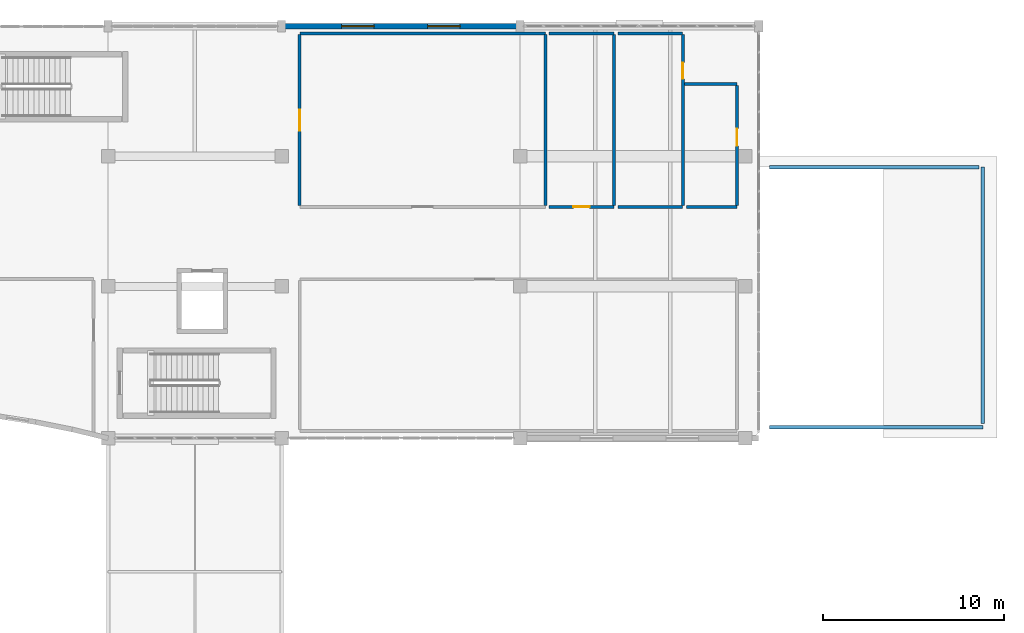
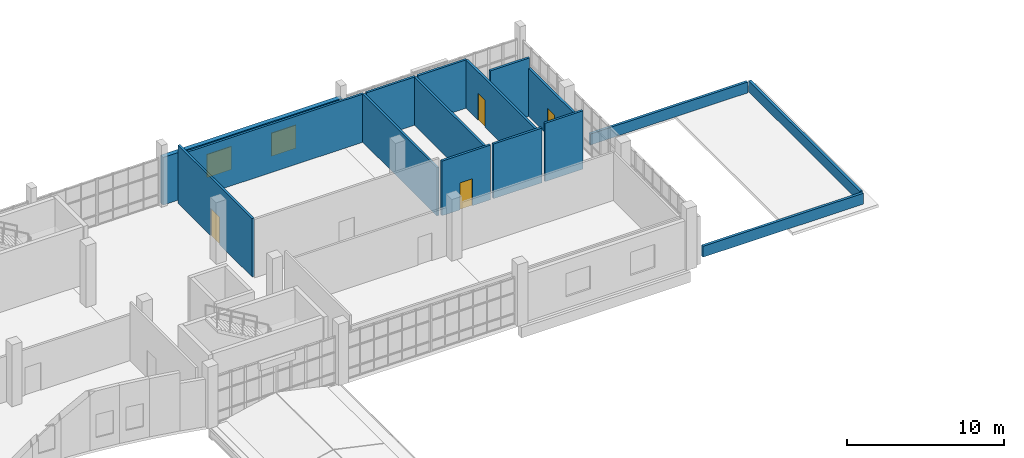
# One storey, part 92 of 106: 16 walls, 4 doors, 2 windows, 6 openings.
"""IFC4 building model written with IfcOpenShell, lengths in metres."""

from ifc_helpers import new_model, si_unit, direction, frame, frame_2d, origin, place, context, subcontext, project, spatial, rectangle, extrude, material, layer, layer_set, type_object, element, fill, save


model = new_model("IFC4")

# Units and contexts
model_context = context("Model", 3, precision=1e-05, world=origin(), true_north=direction((0.0, 1.0)))
body_context = subcontext(model_context, "Body", "Model", "MODEL_VIEW")
ifc_project = project(units=[si_unit("LENGTHUNIT", "METRE"), si_unit("AREAUNIT", "SQUARE_METRE"), si_unit("VOLUMEUNIT", "CUBIC_METRE"), si_unit("PLANEANGLEUNIT", "RADIAN"), si_unit("MASSUNIT", "GRAM", prefix="KILO")], contexts=[model_context])

# Site, building, storey
site_placement = place(None, origin())
site = spatial("IfcSite", under=ifc_project, at=site_placement, CompositionType="ELEMENT")
building_placement = place(site_placement, origin())
building = spatial("IfcBuilding", under=site, at=building_placement, Name="Kisaragi Civic Commons", CompositionType="ELEMENT")
storey_placement = place(building_placement, frame((0.0, 0.0, 4.800048828125)))
storey = spatial("IfcBuildingStorey", under=building, at=storey_placement, Name="L01", CompositionType="ELEMENT", Elevation=4.800048828125)

# Wall, openings, windows
ifc_material_1 = material(Name="Insulated Tokoname terracotta cavity wall", Category="masonry")
ifc_layer_1 = layer(ifc_material_1, 0.320068359375, Name="Insulated Tokoname terracotta cavity wall", Category="masonry")
ifc_layer_set_1 = layer_set([ifc_layer_1], Name="Insulated Tokoname terracotta cavity wall")
wall_type_1 = type_object("IfcWallType", Name="EW-01", PredefinedType="STANDARD", material=ifc_layer_set_1)
wall_1_placement = place(storey_placement, frame((133.199951171875, 118.800048828125, 0.0), z_axis=(0.0, 0.0, 1.0), x_axis=(1.0, 0.0, 0.0)))
wall_1 = element("IfcWall", 1, at=wall_1_placement, inside=storey, type_object=wall_type_1, Name="V4 L01 exterior terracotta wall EW-01 317", PredefinedType="STANDARD", context=body_context, shape_type="SweptSolid", body=[
    extrude(rectangle(XDim=13.199951171875, YDim=0.320068359375, at=frame_2d((6.60009765625, 0.0))), origin(), (0.0, 0.0, 1.0), 3.704833984375),
])
opening_1_placement = place(wall_1_placement, frame((3.323974609375, 0.0, 0.89990234375)))
opening_1 = element("IfcOpeningElement", 2, at=opening_1_placement, cuts=wall_1, Name="Opening W-01", PredefinedType="OPENING", context=body_context, shape_type="SweptSolid", body=[
    extrude(rectangle(XDim=1.800048828125, YDim=1.800048828125, at=frame_2d((0.89990234375, 0.89990234375))), frame((0.0, 0.169921875, 0.0), z_axis=(0.0, -1.0, 0.0), x_axis=(1.0, 0.0, 0.0)), (0.0, 0.0, 1.0), 0.340087890625),
])
opening_2_placement = place(wall_1_placement, frame((8.075927734375, 0.0, 0.89990234375)))
opening_2 = element("IfcOpeningElement", 3, at=opening_2_placement, cuts=wall_1, Name="Opening W-01", PredefinedType="OPENING", context=body_context, shape_type="SweptSolid", body=[
    extrude(rectangle(XDim=1.800048828125, YDim=1.800048828125, at=frame_2d((0.89990234375, 0.89990234375))), frame((0.0, 0.169921875, 0.0), z_axis=(0.0, -1.0, 0.0), x_axis=(1.0, 0.0, 0.0)), (0.0, 0.0, 1.0), 0.340087890625),
])
ifc_material_2 = material(Name="Thermally broken aluminium frame and low-E argon double glazing", Category="aluminium")
window_type = type_object("IfcWindowType", Name="W-01", PartitioningType="SINGLE_PANEL", PredefinedType="WINDOW", material=ifc_material_2)
window_1_placement = place(opening_1_placement, origin())
window_1 = element("IfcWindow", 4, at=window_1_placement, inside=storey, type_object=window_type, Name="V4 L01 window W-01 104", OverallHeight=1.800048828125, OverallWidth=1.800048828125, PartitioningType="SINGLE_PANEL", PredefinedType="WINDOW", context=body_context, shape_type="SweptSolid", body=[
    extrude(rectangle(XDim=1.800048828125, YDim=1.800048828125, at=frame_2d((0.89990234375, 0.89990234375))), frame((0.0, 0.030029296875, 0.0), z_axis=(0.0, -1.0, 0.0), x_axis=(1.0, 0.0, 0.0)), (0.0, 0.0, 1.0), 0.06005859375),
])
fill(opening_1, window_1)
window_2_placement = place(opening_2_placement, origin())
window_2 = element("IfcWindow", 5, at=window_2_placement, inside=storey, type_object=window_type, Name="V4 L01 window W-01 105", OverallHeight=1.800048828125, OverallWidth=1.800048828125, PartitioningType="SINGLE_PANEL", PredefinedType="WINDOW", context=body_context, shape_type="SweptSolid", body=[
    extrude(rectangle(XDim=1.800048828125, YDim=1.800048828125, at=frame_2d((0.89990234375, 0.89990234375))), frame((0.0, 0.030029296875, 0.0), z_axis=(0.0, -1.0, 0.0), x_axis=(1.0, 0.0, 0.0)), (0.0, 0.0, 1.0), 0.06005859375),
])
fill(opening_2, window_2)

# Wall
ifc_material_3 = material(Name="Cementitious tile-backer board on galvanized steel studs", Category="steel")
ifc_layer_2 = layer(ifc_material_3, 0.16796875, Name="Cementitious tile-backer board on galvanized steel studs", Category="steel")
ifc_layer_set_2 = layer_set([ifc_layer_2], Name="Cementitious tile-backer board on galvanized steel studs")
wall_type_2 = type_object("IfcWallType", Name="IW-03", PredefinedType="STANDARD", material=ifc_layer_set_2)
wall_2_placement = place(storey_placement, frame((151.60009765625, 118.324951171875, 0.0), z_axis=(0.0, 0.0, 1.0), x_axis=(0.0, -1.0, 0.0)))
element("IfcWall", 6, at=wall_2_placement, inside=storey, type_object=wall_type_2, Name="L01 W1-08 partition IW-03 283", PredefinedType="STANDARD", context=body_context, shape_type="SweptSolid", body=[
    extrude(rectangle(XDim=9.449951171875, YDim=0.16796875, at=frame_2d((4.72509765625, 0.0))), origin(), (0.0, 0.0, 1.0), 3.7548828125),
])

# Wall, opening, door
wall_3_placement = place(storey_placement, frame((151.594970703125, 108.800048828125, 0.0), z_axis=(0.0, 0.0, 1.0), x_axis=(-1.0, 0.0, 0.0)))
wall_3 = element("IfcWall", 7, at=wall_3_placement, inside=storey, type_object=wall_type_2, Name="L01 W1-08 partition IW-03 284", PredefinedType="STANDARD", context=body_context, shape_type="SweptSolid", body=[
    extrude(rectangle(XDim=3.590087890625, YDim=0.16796875, at=frame_2d((1.794921875, 0.0))), origin(), (0.0, 0.0, 1.0), 4.2548828125),
])
opening_3_placement = place(wall_3_placement, frame((1.344970703125, 0.0, 0.0)))
opening_3 = element("IfcOpeningElement", 8, at=opening_3_placement, cuts=wall_3, Name="Opening ID-02", PredefinedType="OPENING", context=body_context, shape_type="SweptSolid", body=[
    extrude(rectangle(XDim=0.89990234375, YDim=2.10009765625, at=frame_2d((0.449951171875, 1.050048828125))), frame((0.0, 0.093994140625, 0.0), z_axis=(0.0, -1.0, 0.0), x_axis=(1.0, 0.0, 0.0)), (0.0, 0.0, 1.0), 0.18798828125),
])
ifc_material_4 = material(Name="Solid-core Japanese ash acoustic flush timber leaf in steel frame", Category="steel")
door_type_1 = type_object("IfcDoorType", Name="ID-02", OperationType="NOTDEFINED", PredefinedType="DOOR", material=ifc_material_4)
door_1_placement = place(opening_3_placement, origin())
door_1 = element("IfcDoor", 9, at=door_1_placement, inside=storey, type_object=door_type_1, Name="Library Male WC door ID-02", OperationType="SINGLE_SWING_LEFT", OverallHeight=2.10009765625, OverallWidth=0.89990234375, PredefinedType="DOOR", context=body_context, shape_type="SweptSolid", body=[
    extrude(rectangle(XDim=0.89990234375, YDim=2.10009765625, at=frame_2d((0.449951171875, 1.050048828125))), frame((0.0, 0.02490234375, 0.0), z_axis=(0.0, -1.0, 0.0), x_axis=(1.0, 0.0, 0.0)), (0.0, 0.0, 1.0), 0.050048828125),
])
fill(opening_3, door_1)

# Wall
wall_4_placement = place(storey_placement, frame((148.0048828125, 118.39990234375, 0.0), z_axis=(0.0, 0.0, 1.0), x_axis=(1.0, 0.0, 0.0)))
element("IfcWall", 10, at=wall_4_placement, inside=storey, type_object=wall_type_2, Name="L01 W1-08 partition IW-03 285", PredefinedType="STANDARD", context=body_context, shape_type="SweptSolid", body=[
    extrude(rectangle(XDim=3.590087890625, YDim=0.16796875, at=frame_2d((1.794921875, 0.0))), origin(), (0.0, 0.0, 1.0), 3.7548828125),
])

# Wall, opening, door
wall_5_placement = place(storey_placement, frame((155.39990234375, 118.324951171875, 0.0), z_axis=(0.0, 0.0, 1.0), x_axis=(0.0, -1.0, 0.0)))
wall_5 = element("IfcWall", 11, at=wall_5_placement, inside=storey, type_object=wall_type_2, Name="L01 W1-09 partition IW-03 286", PredefinedType="STANDARD", context=body_context, shape_type="SweptSolid", body=[
    extrude(rectangle(XDim=9.449951171875, YDim=0.16796875, at=frame_2d((4.72509765625, 0.0))), origin(), (0.0, 0.0, 1.0), 3.7548828125),
])
opening_4_placement = place(wall_5_placement, frame((1.5390625, 0.0, 0.0)))
opening_4 = element("IfcOpeningElement", 12, at=opening_4_placement, cuts=wall_5, Name="Opening ID-02", PredefinedType="OPENING", context=body_context, shape_type="SweptSolid", body=[
    extrude(rectangle(XDim=0.89990234375, YDim=2.10009765625, at=frame_2d((0.449951171875, 1.050048828125))), frame((0.0, 0.093994140625, 0.0), z_axis=(0.0, -1.0, 0.0), x_axis=(1.0, 0.0, 0.0)), (0.0, 0.0, 1.0), 0.18798828125),
])
door_2_placement = place(opening_4_placement, origin())
door_2 = element("IfcDoor", 13, at=door_2_placement, inside=storey, type_object=door_type_1, Name="Library Female WC door ID-02", OperationType="SINGLE_SWING_RIGHT", OverallHeight=2.10009765625, OverallWidth=0.89990234375, PredefinedType="DOOR", context=body_context, shape_type="SweptSolid", body=[
    extrude(rectangle(XDim=0.89990234375, YDim=2.10009765625, at=frame_2d((0.449951171875, 1.050048828125))), frame((0.0, 0.02490234375, 0.0), z_axis=(0.0, -1.0, 0.0), x_axis=(1.0, 0.0, 0.0)), (0.0, 0.0, 1.0), 0.050048828125),
])
fill(opening_4, door_2)

# Walls
wall_6_placement = place(storey_placement, frame((155.39501953125, 108.800048828125, 0.0), z_axis=(0.0, 0.0, 1.0), x_axis=(-1.0, 0.0, 0.0)))
element("IfcWall", 14, at=wall_6_placement, inside=storey, type_object=wall_type_2, Name="L01 W1-09 partition IW-03 287", PredefinedType="STANDARD", context=body_context, shape_type="SweptSolid", body=[
    extrude(rectangle(XDim=3.590087890625, YDim=0.16796875, at=frame_2d((1.794921875, 0.0))), origin(), (0.0, 0.0, 1.0), 4.2548828125),
])
wall_7_placement = place(storey_placement, frame((151.804931640625, 118.39990234375, 0.0), z_axis=(0.0, 0.0, 1.0), x_axis=(1.0, 0.0, 0.0)))
element("IfcWall", 15, at=wall_7_placement, inside=storey, type_object=wall_type_2, Name="L01 W1-09 partition IW-03 288", PredefinedType="STANDARD", context=body_context, shape_type="SweptSolid", body=[
    extrude(rectangle(XDim=3.590087890625, YDim=0.16796875, at=frame_2d((1.794921875, 0.0))), origin(), (0.0, 0.0, 1.0), 3.7548828125),
])

# Wall, opening, door
wall_8_placement = place(storey_placement, frame((158.39990234375, 115.52490234375, 0.0), z_axis=(0.0, 0.0, 1.0), x_axis=(0.0, -1.0, 0.0)))
wall_8 = element("IfcWall", 16, at=wall_8_placement, inside=storey, type_object=wall_type_2, Name="L01 W1-10 partition IW-03 289", PredefinedType="STANDARD", context=body_context, shape_type="SweptSolid", body=[
    extrude(rectangle(XDim=6.64990234375, YDim=0.16796875, at=frame_2d((3.324951171875, 0.0))), origin(), (0.0, 0.0, 1.0), 3.7548828125),
])
opening_5_placement = place(wall_8_placement, frame((2.39404296875, 0.0, 0.0)))
opening_5 = element("IfcOpeningElement", 17, at=opening_5_placement, cuts=wall_8, Name="Opening ID-01", PredefinedType="OPENING", context=body_context, shape_type="SweptSolid", body=[
    extrude(rectangle(XDim=0.949951171875, YDim=2.10009765625, at=frame_2d((0.47509765625, 1.050048828125))), frame((0.0, 0.093994140625, 0.0), z_axis=(0.0, -1.0, 0.0), x_axis=(1.0, 0.0, 0.0)), (0.0, 0.0, 1.0), 0.18798828125),
])
door_type_2 = type_object("IfcDoorType", Name="ID-01", OperationType="NOTDEFINED", PredefinedType="DOOR", material=ifc_material_4)
door_3_placement = place(opening_5_placement, origin())
door_3 = element("IfcDoor", 18, at=door_3_placement, inside=storey, type_object=door_type_2, Name="Library Accessible WC door ID-01", OperationType="SINGLE_SWING_LEFT", OverallHeight=2.10009765625, OverallWidth=0.949951171875, PredefinedType="DOOR", context=body_context, shape_type="SweptSolid", body=[
    extrude(rectangle(XDim=0.949951171875, YDim=2.10009765625, at=frame_2d((0.47509765625, 1.050048828125))), frame((0.0, 0.02490234375, 0.0), z_axis=(0.0, -1.0, 0.0), x_axis=(1.0, 0.0, 0.0)), (0.0, 0.0, 1.0), 0.050048828125),
])
fill(opening_5, door_3)

# Walls
wall_9_placement = place(storey_placement, frame((158.39501953125, 108.800048828125, 0.0), z_axis=(0.0, 0.0, 1.0), x_axis=(-1.0, 0.0, 0.0)))
element("IfcWall", 19, at=wall_9_placement, inside=storey, type_object=wall_type_2, Name="L01 W1-10 partition IW-03 290", PredefinedType="STANDARD", context=body_context, shape_type="SweptSolid", body=[
    extrude(rectangle(XDim=2.7900390625, YDim=0.16796875, at=frame_2d((1.39501953125, 0.0))), origin(), (0.0, 0.0, 1.0), 4.5400390625),
])
wall_10_placement = place(storey_placement, frame((155.491943359375, 115.60009765625, 0.0), z_axis=(0.0, 0.0, 1.0), x_axis=(1.0, 0.0, 0.0)))
element("IfcWall", 20, at=wall_10_placement, inside=storey, type_object=wall_type_2, Name="L01 W1-10 partition IW-03 291", PredefinedType="STANDARD", context=body_context, shape_type="SweptSolid", body=[
    extrude(rectangle(XDim=2.903076171875, YDim=0.16796875, at=frame_2d((1.45166015625, 0.0))), origin(), (0.0, 0.0, 1.0), 4.5400390625),
])
ifc_material_5 = material(Name="Slatted Mikawa hinoki acoustic timber partition", Category="wood")
ifc_layer_3 = layer(ifc_material_5, 0.159912109375, Name="Slatted Mikawa hinoki acoustic timber partition", Category="wood")
ifc_layer_set_3 = layer_set([ifc_layer_3], Name="Slatted Mikawa hinoki acoustic timber partition")
wall_type_3 = type_object("IfcWallType", Name="IW-06", PredefinedType="STANDARD", material=ifc_layer_set_3)
wall_11_placement = place(storey_placement, frame((147.800048828125, 118.324951171875, 0.0), z_axis=(0.0, 0.0, 1.0), x_axis=(0.0, -1.0, 0.0)))
element("IfcWall", 21, at=wall_11_placement, inside=storey, type_object=wall_type_3, Name="L01 W1-07 partition IW-06 279", PredefinedType="STANDARD", context=body_context, shape_type="SweptSolid", body=[
    extrude(rectangle(XDim=9.449951171875, YDim=0.159912109375, at=frame_2d((4.72509765625, 0.0))), origin(), (0.0, 0.0, 1.0), 3.7548828125),
])

# Wall, opening, door
wall_12_placement = place(storey_placement, frame((134.199951171875, 108.875, 0.0), z_axis=(0.0, 0.0, 1.0), x_axis=(0.0, 1.0, 0.0)))
wall_12 = element("IfcWall", 22, at=wall_12_placement, inside=storey, type_object=wall_type_3, Name="L01 W1-07 partition IW-06 281", PredefinedType="STANDARD", context=body_context, shape_type="SweptSolid", body=[
    extrude(rectangle(XDim=9.449951171875, YDim=0.159912109375, at=frame_2d((4.72509765625, 0.0))), origin(), (0.0, 0.0, 1.0), 4.5400390625),
])
opening_6_placement = place(wall_12_placement, frame((4.14990234375, 0.0, 0.0)))
opening_6 = element("IfcOpeningElement", 23, at=opening_6_placement, cuts=wall_12, Name="Opening ID-04", PredefinedType="OPENING", context=body_context, shape_type="SweptSolid", body=[
    extrude(rectangle(XDim=1.14990234375, YDim=2.14990234375, at=frame_2d((0.574951171875, 1.074951171875))), frame((0.0, 0.08984375, 0.0), z_axis=(0.0, -1.0, 0.0), x_axis=(1.0, 0.0, 0.0)), (0.0, 0.0, 1.0), 0.179931640625),
])
door_type_3 = type_object("IfcDoorType", Name="ID-04", OperationType="NOTDEFINED", PredefinedType="DOOR", material=ifc_material_4)
door_4_placement = place(opening_6_placement, origin())
door_4 = element("IfcDoor", 24, at=door_4_placement, inside=storey, type_object=door_type_3, Name="Quiet Reading Carrels door ID-04", OperationType="SINGLE_SWING_RIGHT", OverallHeight=2.14990234375, OverallWidth=1.14990234375, PredefinedType="DOOR", context=body_context, shape_type="SweptSolid", body=[
    extrude(rectangle(XDim=1.14990234375, YDim=2.14990234375, at=frame_2d((0.574951171875, 1.074951171875))), frame((0.0, 0.02490234375, 0.0), z_axis=(0.0, -1.0, 0.0), x_axis=(1.0, 0.0, 0.0)), (0.0, 0.0, 1.0), 0.050048828125),
])
fill(opening_6, door_4)

# Walls
wall_13_placement = place(storey_placement, frame((134.205078125, 118.39990234375, 0.0), z_axis=(0.0, 0.0, 1.0), x_axis=(1.0, 0.0, 0.0)))
element("IfcWall", 25, at=wall_13_placement, inside=storey, type_object=wall_type_3, Name="L01 W1-07 partition IW-06 282", PredefinedType="STANDARD", context=body_context, shape_type="SweptSolid", body=[
    extrude(rectangle(XDim=13.58984375, YDim=0.159912109375, at=frame_2d((6.794921875, 0.0))), origin(), (0.0, 0.0, 1.0), 3.7548828125),
])
ifc_material_6 = material(Name="Extruded Tokoname terracotta stone coping", Category="masonry")
ifc_layer_4 = layer(ifc_material_6, 0.18994140625, Name="Extruded Tokoname terracotta stone coping", Category="masonry")
ifc_layer_set_4 = layer_set([ifc_layer_4], Name="Extruded Tokoname terracotta stone coping")
wall_type_4 = type_object("IfcWallType", Name="PW-02", PredefinedType="PARAPET", material=ifc_layer_set_4)
wall_14_placement = place(storey_placement, frame((160.199951171875, 96.60009765625, -0.0849609375), z_axis=(0.0, 0.0, 1.0), x_axis=(1.0, 0.0, 0.0)))
element("IfcWall", 26, at=wall_14_placement, inside=storey, type_object=wall_type_4, Name="L01 setback parapet upstand wall 4", PredefinedType="PARAPET", context=body_context, shape_type="SweptSolid", body=[
    extrude(rectangle(XDim=11.800048828125, YDim=0.18994140625, at=frame_2d((5.89990234375, 0.0))), origin(), (0.0, 0.0, 1.0), 0.849853515625),
])
wall_15_placement = place(storey_placement, frame((172.0, 96.800048828125, -0.0849609375), z_axis=(0.0, 0.0, 1.0), x_axis=(0.0, 1.0, 0.0)))
element("IfcWall", 27, at=wall_15_placement, inside=storey, type_object=wall_type_4, Name="L01 setback parapet upstand wall 5", PredefinedType="PARAPET", context=body_context, shape_type="SweptSolid", body=[
    extrude(rectangle(XDim=14.199951171875, YDim=0.18994140625, at=frame_2d((7.10009765625, 0.0))), origin(), (0.0, 0.0, 1.0), 0.849853515625),
])
wall_16_placement = place(storey_placement, frame((160.199951171875, 111.0, -0.0849609375), z_axis=(0.0, 0.0, 1.0), x_axis=(1.0, 0.0, 0.0)))
element("IfcWall", 28, at=wall_16_placement, inside=storey, type_object=wall_type_4, Name="L01 setback parapet upstand wall 6", PredefinedType="PARAPET", context=body_context, shape_type="SweptSolid", body=[
    extrude(rectangle(XDim=11.60009765625, YDim=0.18994140625, at=frame_2d((5.800048828125, 0.0))), origin(), (0.0, 0.0, 1.0), 0.849853515625),
])

save(model, "model.ifc")
